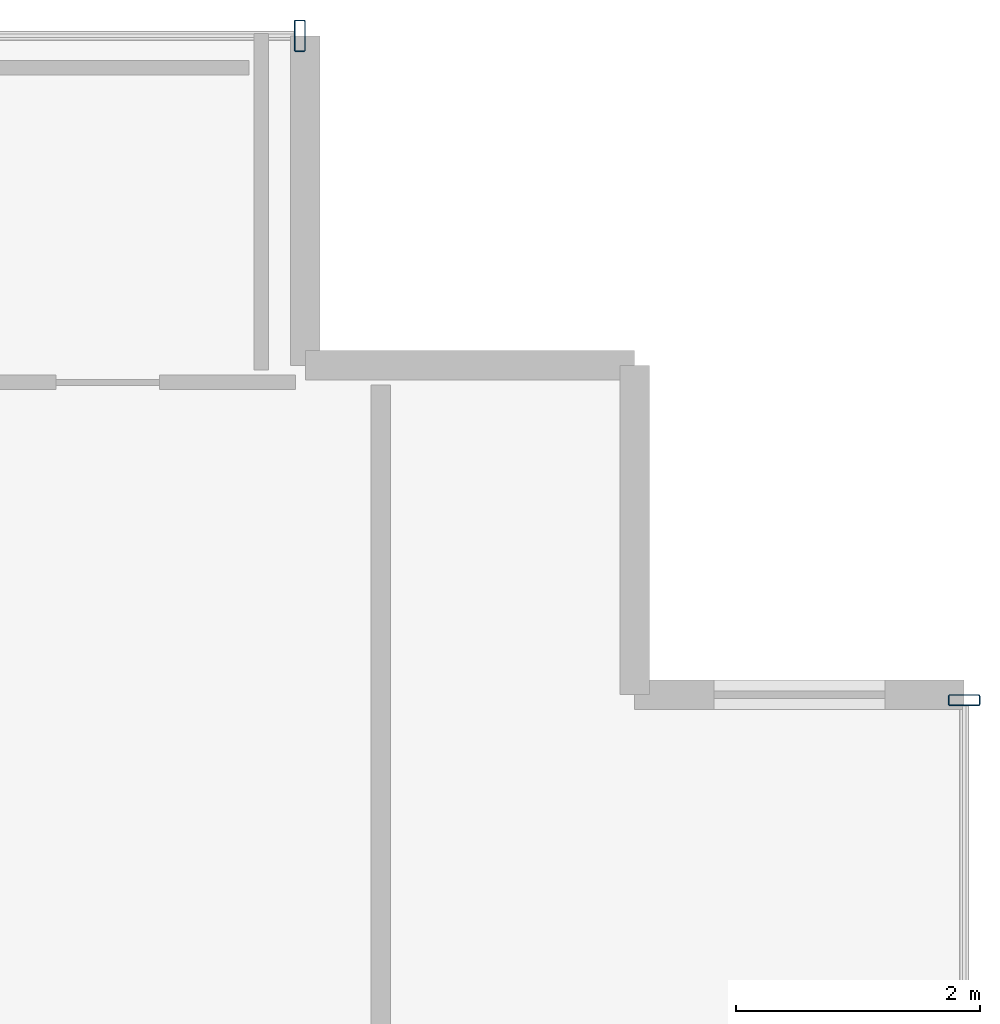
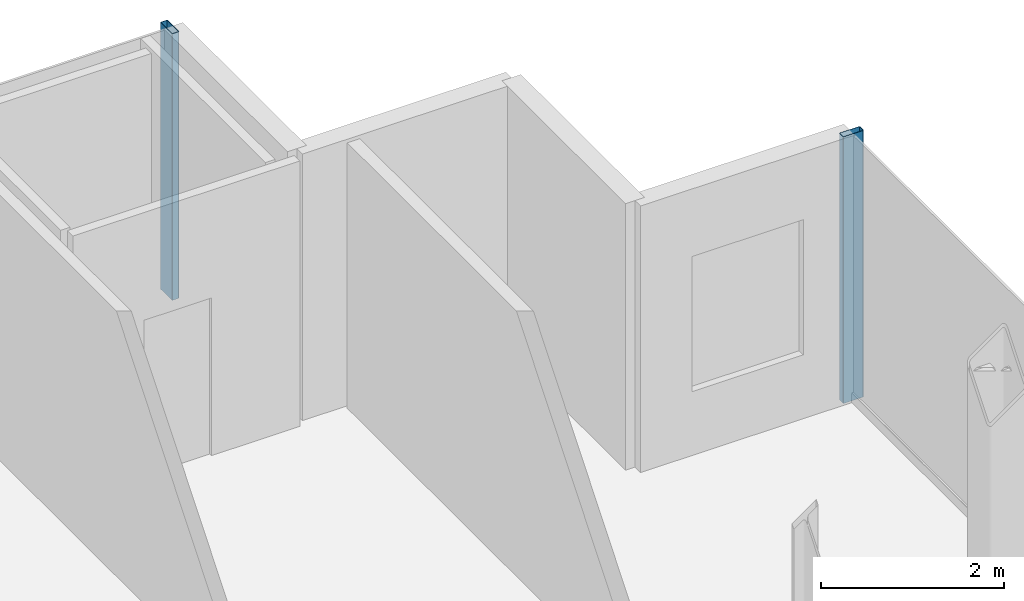
# One storey, part 11 of 17: 2 members, 2 elements without a shape of their own.
"""IFC4 building model written with IfcOpenShell, lengths in metres."""

from ifc_helpers import new_model, si_unit, direction, frame, origin, origin_2d, place, context, subcontext, project, spatial, hollow_rectangle, extrude, source, transform, mapped, material, layer, layer_set, material_profile, profile_set, type_object, element, aggregate, save


model = new_model("IFC4")

# Units and contexts
model_context = context("Model", 3, precision=1e-05, world=origin(), true_north=direction((0.0, 1.0)))
body_context = subcontext(model_context, "Body", "Model", "MODEL_VIEW")
ifc_project = project(units=[si_unit("LENGTHUNIT", "METRE"), si_unit("AREAUNIT", "SQUARE_METRE"), si_unit("VOLUMEUNIT", "CUBIC_METRE"), si_unit("PLANEANGLEUNIT", "RADIAN"), si_unit("MASSUNIT", "GRAM", prefix="KILO")], contexts=[model_context])

# Site, building, storey
site_placement = place(None, origin())
site = spatial("IfcSite", under=ifc_project, at=site_placement, CompositionType="ELEMENT")
building_placement = place(site_placement, origin())
building = spatial("IfcBuilding", under=site, at=building_placement, Name="Nefas-Gora Pilgrimage Tower", CompositionType="ELEMENT")
storey_placement = place(building_placement, frame((0.0, 0.0, 341.39990234375)))
storey = spatial("IfcBuildingStorey", under=building, at=storey_placement, Name="L86", CompositionType="ELEMENT", Elevation=341.39990234375)

# Curtain wall, member
ifc_material_1 = material(Name="Dark ceramic-fritted solar-control aluminium-glass curtain wall", Category="aluminium")
ifc_layer = layer(ifc_material_1, 0.219970703125)
ifc_layer_set = layer_set([ifc_layer], Name="Dark ceramic-fritted solar-control aluminium-glass curtain wall")
curtain_wall_type = type_object("IfcCurtainWallType", Name="CW-SYS-4", PredefinedType="NOTDEFINED", material=ifc_layer_set)
curtain_wall_1_placement = place(storey_placement, origin())
curtain_wall_1 = element("IfcCurtainWall", 1, at=curtain_wall_1_placement, inside=storey, type_object=curtain_wall_type, Name="L86 Unitised Curtain Wall CW4", PredefinedType="NOTDEFINED")
ifc_material_2 = material(Name="Anodised architectural aluminium", Category="aluminium")
ifc_material_profile = material_profile(ifc_material_2, hollow_rectangle(XDim=0.090087890625, YDim=0.260009765625, WallThickness=0.006103515625, InnerFilletRadius=0.006103515625, OuterFilletRadius=0.011962890625, at=origin_2d()), Name="ALU MULLION 90x260")
ifc_profile_set = profile_set([ifc_material_profile], Name="Anodised architectural aluminium")
member_type = type_object("IfcMemberType", Name="CWM-MUL-4", PredefinedType="MULLION", material=ifc_profile_set)
shared_shape = source(origin(), body_context, "Body", "SweptSolid", [
    extrude(hollow_rectangle(XDim=0.090087890625, YDim=0.260009765625, WallThickness=0.006103515625, InnerFilletRadius=0.006103515625, OuterFilletRadius=0.011962890625, at=origin_2d()), origin(), (0.0, 0.0, 1.0), 3.550048828125),
])
member_1_placement = place(storey_placement, frame((13.074951171875, 23.02001953125, 0.0), z_axis=(0.0, 0.0, 1.0), x_axis=(-1.0, 0.0, 0.0)))
member_1 = element("IfcMember", 2, at=member_1_placement, type_object=member_type, Name="CW4 Mullion 1", PredefinedType="MULLION", context=body_context, shape_type="MappedRepresentation", body=[
    mapped(shared_shape, transform((0.0, 0.0, 0.0), x_axis=(1.0, 0.0, 0.0), y_axis=(0.0, 1.0, 0.0), z_axis=(0.0, 0.0, 1.0), scale=1.0)),
])
aggregate(curtain_wall_1, [member_1])

curtain_wall_2_placement = place(storey_placement, origin())
curtain_wall_2 = element("IfcCurtainWall", 3, at=curtain_wall_2_placement, inside=storey, type_object=curtain_wall_type, Name="L86 Unitised Curtain Wall CW4", PredefinedType="NOTDEFINED")
member_2_placement = place(storey_placement, frame((18.52001953125, 17.574951171875, 0.0), z_axis=(0.0, 0.0, 1.0), x_axis=(0.0, 1.0, 0.0)))
member_2 = element("IfcMember", 4, at=member_2_placement, type_object=member_type, Name="CW4 Mullion 3", PredefinedType="MULLION", context=body_context, shape_type="MappedRepresentation", body=[
    mapped(shared_shape, transform((0.0, 0.0, 0.0), x_axis=(1.0, 0.0, 0.0), y_axis=(0.0, 1.0, 0.0), z_axis=(0.0, 0.0, 1.0), scale=1.0)),
])
aggregate(curtain_wall_2, [member_2])

save(model, "model.ifc")
